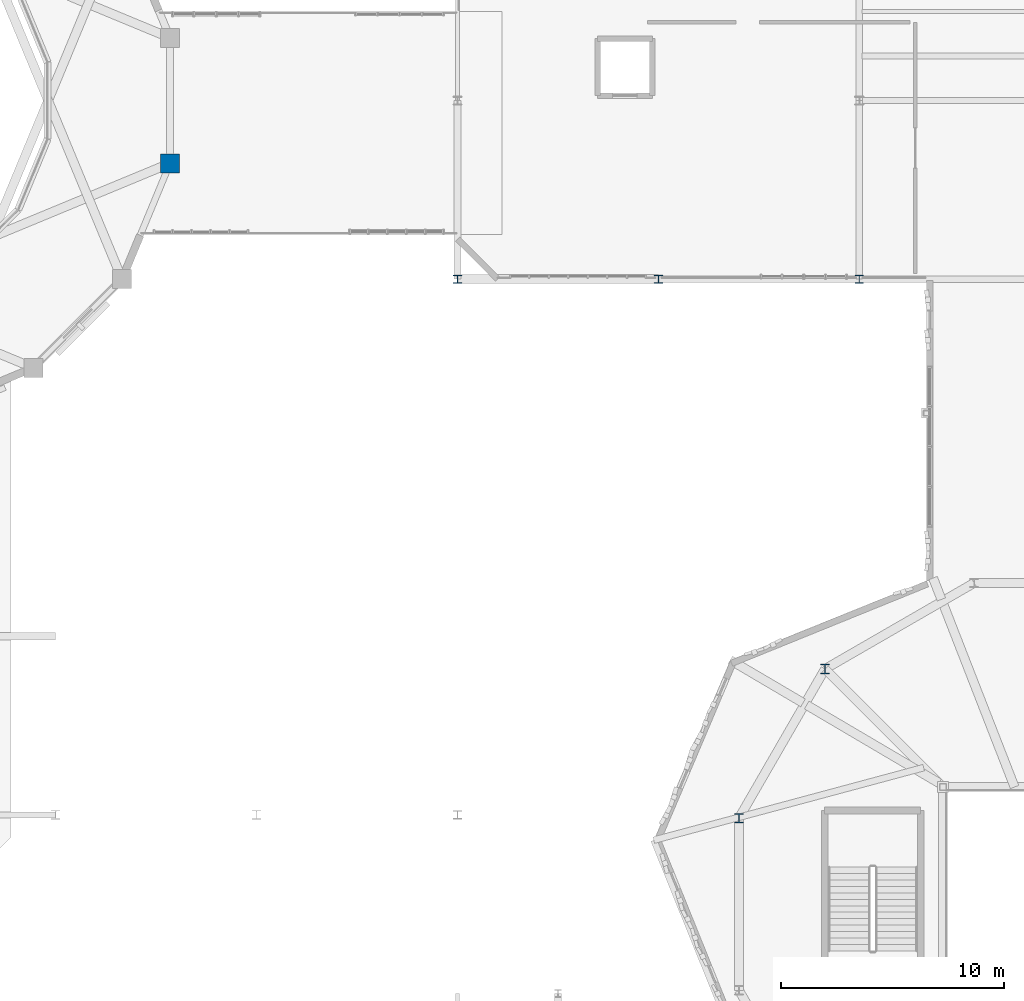
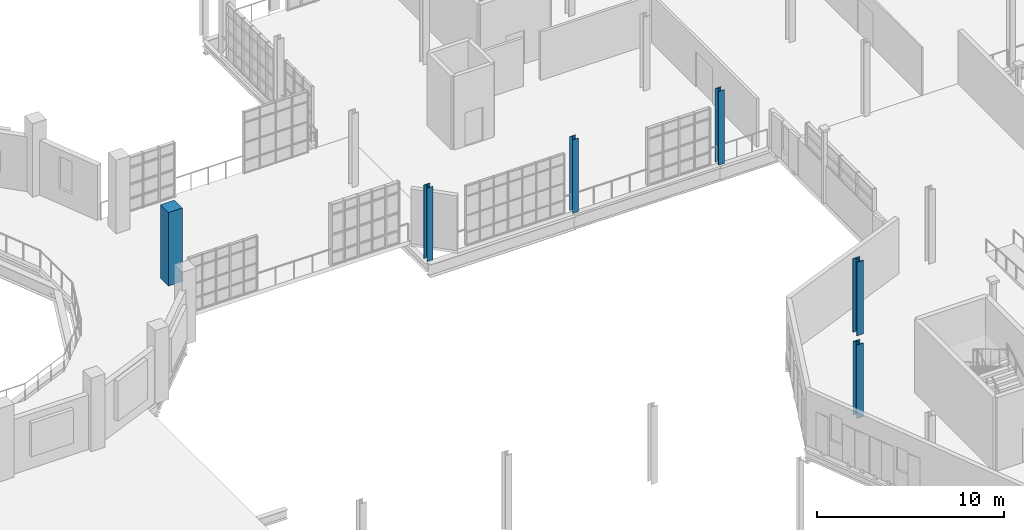
# One storey, part 4 of 122: 6 columns.
"""IFC4 building model written with IfcOpenShell, lengths in metres."""

import ifcopenshell
import ifcopenshell.guid

model = None  # the IFC model being written
_history = None  # IfcOwnerHistory: only IFC2X3 demands one
_inside = {}  # id of a spatial element -> (the spatial element, [elements in it])
_under = {}  # id of a project, library or spatial element -> (it, [spatial elements below it])
_declared = {}  # id of a project -> (the project, [libraries it declares])
_typed = {}  # id of a type object -> (the type object, [elements of that type])
_made_of = {}  # id of a material, layer set ... -> (it, [elements and type objects made of it])


def new_model(schema):
    """Start an empty IFC model of exactly this schema.

    Asked for "IFC4X3", IfcOpenShell would pick the latest addendum, in which some entities
    have other attributes; the version numbers below select the first issue.
    IFC2X3 requires an IfcOwnerHistory on every rooted entity: one is made here for all.
    """
    global model, _history
    if schema == "IFC4X3":
        model = ifcopenshell.file(schema_version=(4, 3, 0, 0))
    else:
        model = ifcopenshell.file(schema=schema)
    _inside.clear()
    _under.clear()
    _declared.clear()
    _typed.clear()
    _made_of.clear()
    _history = None
    if model.schema == "IFC2X3":
        org = make("IfcOrganization", Name="unknown")
        user = make(
            "IfcPersonAndOrganization",
            ThePerson=make("IfcPerson", FamilyName="unknown"),
            TheOrganization=org,
        )
        app = make(
            "IfcApplication",
            ApplicationDeveloper=org,
            Version="unknown",
            ApplicationFullName="unknown",
            ApplicationIdentifier="unknown",
        )
        _history = make(
            "IfcOwnerHistory",
            OwningUser=user,
            OwningApplication=app,
            ChangeAction="ADDED",
            CreationDate=0,
        )
    return model


def make(cls, **values):
    """One entity of the class cls with the attributes given. An attribute that is None is left unset."""
    return model.create_entity(
        cls, **{name: value for name, value in values.items() if value is not None}
    )


def rooted(cls, **values):
    """An entity with a GlobalId (a new one), such as an element, a storey or a relation."""
    return make(cls, GlobalId=ifcopenshell.guid.new(), OwnerHistory=_history, **values)


def si_unit(unit_type, name, prefix=None):
    """IfcSIUnit, for example si_unit("LENGTHUNIT", "METRE", prefix="MILLI")."""
    return make("IfcSIUnit", UnitType=unit_type, Prefix=prefix, Name=name)


def assignment(units):
    """IfcUnitAssignment: the units of a project."""
    return None if units is None else make("IfcUnitAssignment", Units=units)


def point(xyz):
    """IfcCartesianPoint."""
    return None if xyz is None else make("IfcCartesianPoint", Coordinates=xyz)


def direction(xyz):
    """IfcDirection."""
    return None if xyz is None else make("IfcDirection", DirectionRatios=xyz)


def frame(location, z_axis=None, x_axis=None):
    """IfcAxis2Placement3D, a coordinate frame: its origin and axes. An axis left out is left unset."""
    return make(
        "IfcAxis2Placement3D",
        Location=point(location),
        Axis=direction(z_axis),
        RefDirection=direction(x_axis),
    )


def frame_2d(location, x_axis=None):
    """IfcAxis2Placement2D, a coordinate frame in the plane: its origin and x axis."""
    return make(
        "IfcAxis2Placement2D", Location=point(location), RefDirection=direction(x_axis)
    )


def origin():
    """The frame at (0, 0, 0) with its axes left unset."""
    return frame((0.0, 0.0, 0.0))


def origin_2d():
    """The frame at (0, 0) in the plane with its x axis left unset."""
    return frame_2d((0.0, 0.0))


def place(relative_to, where):
    """IfcLocalPlacement: puts the frame where relative to a parent placement (None: the world)."""
    return make(
        "IfcLocalPlacement", PlacementRelTo=relative_to, RelativePlacement=where
    )


def context(
    kind, dimensions, precision=None, world=None, true_north=None, identifier=None
):
    """IfcGeometricRepresentationContext, for example the 3D "Model" context."""
    return make(
        "IfcGeometricRepresentationContext",
        ContextIdentifier=identifier,
        ContextType=kind,
        CoordinateSpaceDimension=dimensions,
        Precision=precision,
        WorldCoordinateSystem=world,
        TrueNorth=true_north,
    )


def subcontext(parent, identifier, kind, view, scale=None):
    """IfcGeometricRepresentationSubContext, for example "Body" below "Model"."""
    return make(
        "IfcGeometricRepresentationSubContext",
        ContextIdentifier=identifier,
        ContextType=kind,
        ParentContext=parent,
        TargetScale=scale,
        TargetView=view,
    )


def project(units=None, contexts=None):
    """IfcProject with its units and contexts."""
    return rooted(
        "IfcProject",
        Name="project",
        RepresentationContexts=contexts,
        UnitsInContext=assignment(units),
    )


def spatial(cls, under=None, at=None, **own):
    """A site, building, storey or space (cls), placed at a placement, below another one or the project."""
    s = rooted(cls, ObjectPlacement=at, **own)
    if under is not None:
        _under.setdefault(under.id(), (under, []))[1].append(s)
    return s


def profile(cls, at=None, kind="AREA", **sizes):
    """A parametric profile (cls). Its sizes go by their IFC names, for example OverallWidth=200.0."""
    return make(cls, ProfileType=kind, Position=at, **sizes)


def rectangle(**sizes):
    """IfcRectangleProfileDef."""
    return profile("IfcRectangleProfileDef", **sizes)


def i_section(**sizes):
    """IfcIShapeProfileDef."""
    return profile("IfcIShapeProfileDef", **sizes)


def extrude(swept, where, along, depth):
    """IfcExtrudedAreaSolid: the profile swept, set in the frame where, extruded along a direction by depth."""
    return make(
        "IfcExtrudedAreaSolid",
        SweptArea=swept,
        Position=where,
        ExtrudedDirection=direction(along),
        Depth=depth,
    )


def shape(context_of_items, identifier, shape_type, items):
    """IfcShapeRepresentation: the items that make up one representation, for example the "Body"."""
    return make(
        "IfcShapeRepresentation",
        ContextOfItems=context_of_items,
        RepresentationIdentifier=identifier,
        RepresentationType=shape_type,
        Items=items,
    )


def material(Name=None, Category=None):
    """IfcMaterial."""
    return make("IfcMaterial", Name=Name, Category=Category)


def material_profile(
    of_material, cross_section, Name=None, Category=None, Priority=None
):
    """IfcMaterialProfile: a cross section and its material."""
    return make(
        "IfcMaterialProfile",
        Name=Name,
        Material=of_material,
        Profile=cross_section,
        Priority=Priority,
        Category=Category,
    )


def profile_set(profiles, Name=None, composite=None):
    """IfcMaterialProfileSet."""
    return make(
        "IfcMaterialProfileSet",
        Name=Name,
        MaterialProfiles=profiles,
        CompositeProfile=composite,
    )


def made_of(thing, what):
    """Note that an element or type object is made of a material, layer set ...; save() writes the relation."""
    if what is not None:
        _made_of.setdefault(what.id(), (what, []))[1].append(thing)
    return thing


def type_object(cls, material=None, **own):
    """A type object (cls), such as IfcWallType, which elements share."""
    return made_of(rooted(cls, **own), material)


def element(
    cls,
    number,
    at=None,
    inside=None,
    cuts=None,
    type_object=None,
    material=None,
    context=None,
    identifier="Body",
    shape_type=None,
    held_by="IfcProductDefinitionShape",
    body=None,
    shapes=None,
    **own,
):
    """One element of the class cls, such as IfcWall. Its Tag is "e" and its number.

    at: its placement. inside: the storey or other place that contains it. cuts: it is an
    opening in that element (IfcRelVoidsElement). A single representation is given by context,
    identifier, shape_type and body (its items); several are given by shapes. held_by: the class
    of the entity that holds the representations. save() writes the other relations.
    """
    e = rooted(cls, Tag="e%d" % number, ObjectPlacement=at, **own)
    if body is not None:
        shapes = [shape(context, identifier, shape_type, body)]
    if shapes is not None:
        e.Representation = make(held_by, Representations=shapes)
    if inside is not None:
        _inside.setdefault(inside.id(), (inside, []))[1].append(e)
    if cuts is not None:
        rooted(
            "IfcRelVoidsElement", RelatingBuildingElement=cuts, RelatedOpeningElement=e
        )
    if type_object is not None:
        _typed.setdefault(type_object.id(), (type_object, []))[1].append(e)
    return made_of(e, material)


def aggregate(whole, parts):
    """IfcRelAggregates: a whole, such as a stair, and the parts it consists of."""
    return rooted("IfcRelAggregates", RelatingObject=whole, RelatedObjects=parts)


def save(model, path):
    """Write the relations noted so far, then the file.

    IfcRelAggregates (storeys below a building ...), IfcRelContainedInSpatialStructure (elements
    in a storey), IfcRelDefinesByType, IfcRelAssociatesMaterial and IfcRelDeclares: one each for
    every whole, place, type object, material and project.
    """
    for whole, parts in _under.values():
        aggregate(whole, parts)
    for where, things in _inside.values():
        rooted(
            "IfcRelContainedInSpatialStructure",
            RelatedElements=things,
            RelatingStructure=where,
        )
    for kind, things in _typed.values():
        rooted("IfcRelDefinesByType", RelatedObjects=things, RelatingType=kind)
    for what, things in _made_of.values():
        rooted("IfcRelAssociatesMaterial", RelatedObjects=things, RelatingMaterial=what)
    for by, libraries in _declared.values():
        rooted("IfcRelDeclares", RelatingContext=by, RelatedDefinitions=libraries)
    model.write(path)


model = new_model("IFC4")

# Units and contexts
model_context = context("Model", 3, precision=1e-05, world=origin(), true_north=direction((0.0, 1.0)))
body_context = subcontext(model_context, "Body", "Model", "MODEL_VIEW")
ifc_project = project(units=[si_unit("LENGTHUNIT", "METRE"), si_unit("AREAUNIT", "SQUARE_METRE"), si_unit("VOLUMEUNIT", "CUBIC_METRE"), si_unit("PLANEANGLEUNIT", "RADIAN"), si_unit("MASSUNIT", "GRAM", prefix="KILO"), si_unit("THERMODYNAMICTEMPERATUREUNIT", "KELVIN"), si_unit("POWERUNIT", "WATT")], contexts=[model_context])

# Site, building, storey
site_placement = place(None, origin())
site = spatial("IfcSite", under=ifc_project, at=site_placement, CompositionType="ELEMENT")
building_placement = place(site_placement, origin())
building = spatial("IfcBuilding", under=site, at=building_placement, Name="Zelmaris Science Centre", CompositionType="ELEMENT")
storey_placement = place(building_placement, frame((0.0, 0.0, 10.800048828125)))
storey = spatial("IfcBuildingStorey", under=building, at=storey_placement, Name="L02", CompositionType="ELEMENT", Elevation=10.800048828125)

# Columns
ifc_material_1 = material(Name="Steel ASTM A992 Grade 50", Category="steel")
ifc_material_profile_1 = material_profile(ifc_material_1, i_section(OverallWidth=0.412109375, OverallDepth=0.43408203125, WebThickness=0.035888671875, FlangeThickness=0.044189453125, FilletRadius=0.014892578125, at=origin_2d()), Name="W14X311")
ifc_profile_set_1 = profile_set([ifc_material_profile_1], Name="Steel ASTM A992 Grade 50")
column_type_1 = type_object("IfcColumnType", Name="Column C-01 W14X311", PredefinedType="COLUMN", material=ifc_profile_set_1)
column_1_placement = place(storey_placement, frame((70.464111328125, 46.535888671875, 0.0), z_axis=(0.0, 0.0, 1.0), x_axis=(1.0, 0.0, 0.0)))
element("IfcColumn", 1, at=column_1_placement, inside=storey, type_object=column_type_1, Name="Column V2-MC05 L02", PredefinedType="COLUMN", context=body_context, shape_type="SweptSolid", body=[
    extrude(i_section(OverallWidth=0.412109375, OverallDepth=0.43408203125, WebThickness=0.035888671875, FlangeThickness=0.044189453125, FilletRadius=0.014892578125, at=origin_2d()), origin(), (0.0, 0.0, 1.0), 4.800048828125),
])
ifc_material_profile_2 = material_profile(ifc_material_1, i_section(OverallWidth=0.406005859375, OverallDepth=0.4169921875, WebThickness=0.02978515625, FlangeThickness=0.04443359375, FilletRadius=0.014892578125, at=origin_2d()), Name="W14X257")
ifc_profile_set_2 = profile_set([ifc_material_profile_2], Name="Steel ASTM A992 Grade 50")
column_type_2 = type_object("IfcColumnType", Name="Column C-02 W14X257", PredefinedType="COLUMN", material=ifc_profile_set_2)
column_2_placement = place(storey_placement, frame((66.607666015625, 39.8564453125, 0.0), z_axis=(0.0, 0.0, 1.0), x_axis=(1.0, 0.0, 0.0)))
element("IfcColumn", 2, at=column_2_placement, inside=storey, type_object=column_type_2, Name="Column V2-MC06 L02", PredefinedType="COLUMN", context=body_context, shape_type="SweptSolid", body=[
    extrude(i_section(OverallWidth=0.406005859375, OverallDepth=0.4169921875, WebThickness=0.02978515625, FlangeThickness=0.04443359375, FilletRadius=0.014892578125, at=origin_2d()), origin(), (0.0, 0.0, 1.0), 4.800048828125),
])
ifc_material_profile_3 = material_profile(ifc_material_1, i_section(OverallWidth=0.367919921875, OverallDepth=0.35595703125, WebThickness=0.01123046875, FlangeThickness=0.01806640625, FilletRadius=0.014892578125, at=origin_2d()), Name="W14X90")
ifc_profile_set_3 = profile_set([ifc_material_profile_3], Name="Steel ASTM A992 Grade 50")
column_type_3 = type_object("IfcColumnType", Name="Column C-07 W14X90", PredefinedType="COLUMN", material=ifc_profile_set_3)
for number, where, z_axis, x_axis, name in (
    (3, (54.0, 64.0, 0.0), (0.0, 0.0, 1.0), (1.0, 0.0, 0.0), "Column V5-C-54-64 L02"),
    (4, (63.0, 64.0, 0.0), (0.0, 0.0, 1.0), (1.0, 0.0, 0.0), "Column V5-C-63-64 L02"),
    (5, (72.0, 64.0, 0.0), (0.0, 0.0, 1.0), (1.0, 0.0, 0.0), "Column V5-C-72-64 L02"),
):
    element("IfcColumn", number, at=place(storey_placement, frame(where, z_axis=z_axis, x_axis=x_axis)), inside=storey, type_object=column_type_3, Name=name, PredefinedType="COLUMN", context=body_context, shape_type="SweptSolid", body=[
        extrude(i_section(OverallWidth=0.367919921875, OverallDepth=0.35595703125, WebThickness=0.01123046875, FlangeThickness=0.01806640625, FilletRadius=0.014892578125, at=origin_2d()), origin(), (0.0, 0.0, 1.0), 4.800048828125),
    ])
ifc_material_2 = material(Name="Concrete C40/50", Category="concrete")
ifc_material_profile_4 = material_profile(ifc_material_2, rectangle(XDim=0.85009765625, YDim=0.85009765625, at=origin_2d()), Name="RC-COL-850X850")
ifc_profile_set_4 = profile_set([ifc_material_profile_4], Name="Concrete C40/50")
column_type_4 = type_object("IfcColumnType", Name="Column C-14 RC-COL-850X850", PredefinedType="COLUMN", material=ifc_profile_set_4)
column_3_placement = place(storey_placement, frame((41.123291015625, 69.190673828125, 0.0), z_axis=(0.0, 0.0, 1.0), x_axis=(1.0, 0.0, 0.0)))
element("IfcColumn", 6, at=column_3_placement, inside=storey, type_object=column_type_4, Name="Column V1-DC16 L02", PredefinedType="COLUMN", context=body_context, shape_type="SweptSolid", body=[
    extrude(rectangle(XDim=0.85009765625, YDim=0.85009765625, at=origin_2d()), origin(), (0.0, 0.0, 1.0), 4.800048828125),
])

save(model, "model.ifc")
